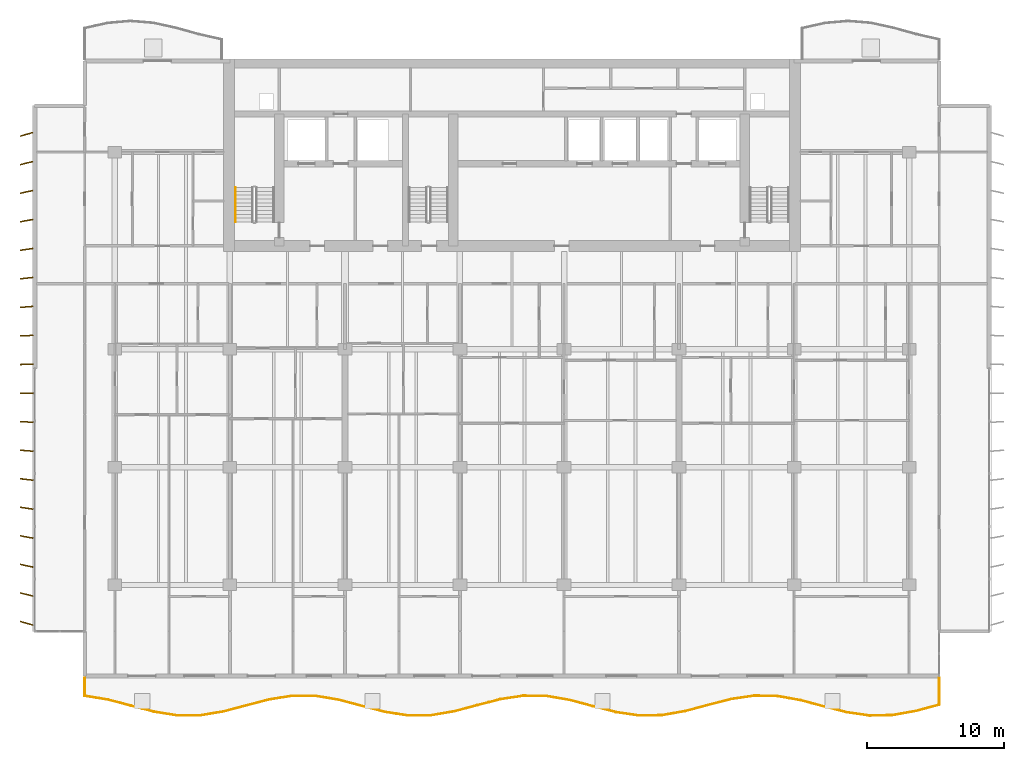
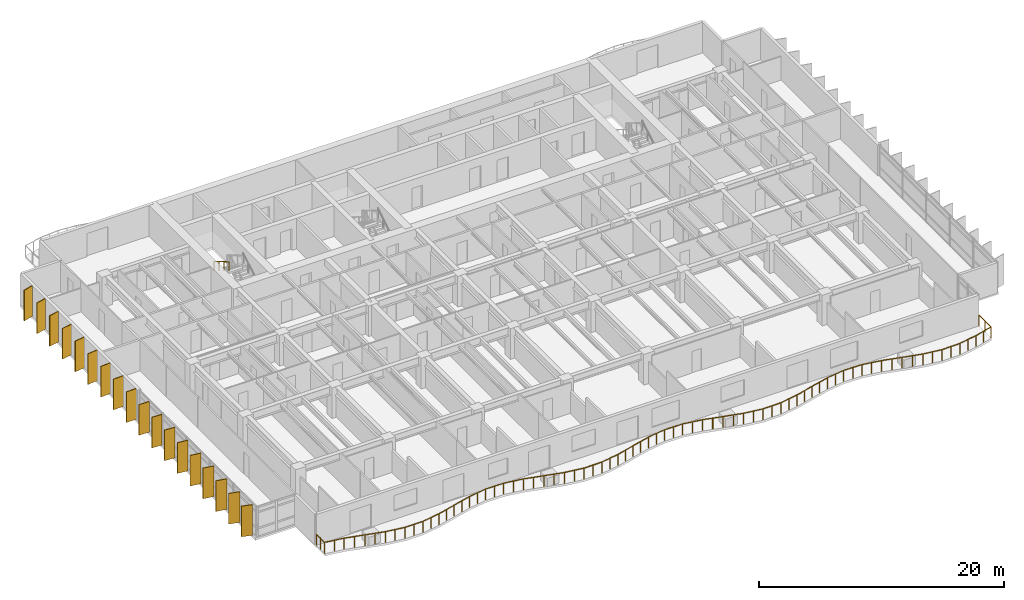
# One storey, part 13 of 16: 18 shading devices, 2 railings.
"""IFC4 building model written with IfcOpenShell, lengths in metres."""

from ifc_helpers import new_model, si_unit, direction, frame, origin, origin_2d, place, context, subcontext, project, spatial, rectangle, circle, extrude, material, material_profile, profile_set, type_object, element, save


model = new_model("IFC4")

# Units and contexts
model_context = context("Model", 3, precision=1e-05, world=origin(), true_north=direction((0.0, 1.0)))
body_context = subcontext(model_context, "Body", "Model", "MODEL_VIEW")
ifc_project = project(units=[si_unit("LENGTHUNIT", "METRE"), si_unit("AREAUNIT", "SQUARE_METRE"), si_unit("VOLUMEUNIT", "CUBIC_METRE"), si_unit("PLANEANGLEUNIT", "RADIAN"), si_unit("MASSUNIT", "GRAM", prefix="KILO")], contexts=[model_context])

# Site, building, storey
site_placement = place(None, origin())
site = spatial("IfcSite", under=ifc_project, at=site_placement, CompositionType="ELEMENT")
building_placement = place(site_placement, origin())
building = spatial("IfcBuilding", under=site, at=building_placement, Name="Caelmar Bay Residences", CompositionType="ELEMENT")
storey_placement = place(building_placement, frame((0.0, 0.0, 142.199951171875)))
storey = spatial("IfcBuildingStorey", under=building, at=storey_placement, Name="L39", CompositionType="ELEMENT", Elevation=142.199951171875)

# Railings
ifc_material_1 = material(Name="Anodised bronze handrail with laminated hurricane glass infill", Category="glass")
railing_type_1 = type_object("IfcRailingType", Name="RL-BAL-1100", PredefinedType="BALUSTRADE", material=ifc_material_1)
railing_1_placement = place(storey_placement, frame((7.699951171875, 5.39990234375, 0.0)))
element("IfcRailing", 1, at=railing_1_placement, inside=storey, type_object=railing_type_1, Name="L39 south Balcony Balustrade", PredefinedType="BALUSTRADE", context=body_context, shape_type="SweptSolid", body=[
    extrude(circle(Radius=0.02392578125, at=origin_2d()), frame((0.0, 0.0, 1.076171875), z_axis=(0.0, -1.0, 0.0), x_axis=(1.0, 0.0, 0.0)), (0.0, 0.0, 1.0), 1.306640625),
    extrude(circle(Radius=0.02392578125, at=origin_2d()), frame((0.0, -1.306640625, 1.076171875), z_axis=(0.987065173656, -0.160319502728, 0.0), x_axis=(0.160319502728, 0.987065173656, 0.0)), (0.0, 0.0, 1.0), 1.708740234375),
    extrude(circle(Radius=0.02392578125, at=origin_2d()), frame((1.6865234375, -1.58056640625, 1.076171875), z_axis=(0.967208611975, -0.253983268981, 0.0), x_axis=(0.253983268981, 0.967208611975, 0.0)), (0.0, 0.0, 1.0), 1.74365234375),
    extrude(circle(Radius=0.02392578125, at=origin_2d()), frame((3.373046875, -2.0234375, 1.076171875), z_axis=(0.967380394838, -0.253328189673, 0.0), x_axis=(0.253328189673, 0.967380394838, 0.0)), (0.0, 0.0, 1.0), 1.743408203125),
    extrude(circle(Radius=0.02392578125, at=origin_2d()), frame((5.0595703125, -2.465087890625, 1.076171875), z_axis=(0.987398669265, -0.158252544792, 0.0), x_axis=(0.158252544792, 0.987398669265, 0.0)), (0.0, 0.0, 1.0), 1.707763671875),
    extrude(circle(Radius=0.02392578125, at=origin_2d()), frame((6.745849609375, -2.7353515625, 1.076171875), z_axis=(0.999995379373, 0.00303993963, 0.0), x_axis=(-0.00303993963, 0.999995379373, 0.0)), (0.0, 0.0, 1.0), 1.6865234375),
    extrude(circle(Radius=0.02392578125, at=origin_2d()), frame((8.432373046875, -2.730224609375, 1.076171875), z_axis=(0.986655160989, 0.162823810586, 0.0), x_axis=(-0.162823810586, 0.986655160989, 0.0)), (0.0, 0.0, 1.0), 1.709228515625),
    extrude(circle(Radius=0.02392578125, at=origin_2d()), frame((10.118896484375, -2.451904296875, 1.076171875), z_axis=(0.966967473877, 0.254899792984, 0.0), x_axis=(-0.254899792984, 0.966967473877, 0.0)), (0.0, 0.0, 1.0), 1.744140625),
    extrude(circle(Radius=0.02392578125, at=origin_2d()), frame((11.805419921875, -2.00732421875, 1.076171875), z_axis=(0.967620247319, 0.252410493004, 0.0), x_axis=(-0.252410493004, 0.967620247319, 0.0)), (0.0, 0.0, 1.0), 1.742919921875),
    extrude(circle(Radius=0.02392578125, at=origin_2d()), frame((13.491943359375, -1.5673828125, 1.076171875), z_axis=(0.987823182146, 0.155580721218, 0.0), x_axis=(-0.155580721218, 0.987823182146, 0.0)), (0.0, 0.0, 1.0), 1.707275390625),
    extrude(circle(Radius=0.02392578125, at=origin_2d()), frame((15.178466796875, -1.3017578125, 1.076171875), z_axis=(0.999979715819, -0.006369297553, 0.0), x_axis=(0.006369297553, 0.999979715819, 0.0)), (0.0, 0.0, 1.0), 1.6865234375),
    extrude(circle(Radius=0.02392578125, at=origin_2d()), frame((16.864990234375, -1.3125, 1.076171875), z_axis=(0.986215858192, -0.165463836081, 0.0), x_axis=(0.165463836081, 0.986215858192, 0.0)), (0.0, 0.0, 1.0), 1.710205078125),
    extrude(circle(Radius=0.02392578125, at=origin_2d()), frame((18.551513671875, -1.595458984375, 1.076171875), z_axis=(0.966716428408, -0.255850243395, 0.0), x_axis=(0.255850243395, 0.966716428408, 0.0)), (0.0, 0.0, 1.0), 1.744384765625),
    extrude(circle(Radius=0.02392578125, at=origin_2d()), frame((20.23779296875, -2.041748046875, 1.076171875), z_axis=(0.967927523166, -0.251229595981, 0.0), x_axis=(0.251229595981, 0.967927523166, 0.0)), (0.0, 0.0, 1.0), 1.742431640625),
    extrude(circle(Radius=0.02392578125, at=origin_2d()), frame((21.92431640625, -2.4794921875, 1.076171875), z_axis=(0.988215723796, -0.153067577369, 0.0), x_axis=(0.153067577369, 0.988215723796, 0.0)), (0.0, 0.0, 1.0), 1.70654296875),
    extrude(circle(Radius=0.02392578125, at=origin_2d()), frame((23.61083984375, -2.74072265625, 1.076171875), z_axis=(0.999952968989, 0.009698443677, 0.0), x_axis=(-0.009698443677, 0.999952968989, 0.0)), (0.0, 0.0, 1.0), 1.6865234375),
    extrude(circle(Radius=0.02392578125, at=origin_2d()), frame((25.29736328125, -2.724365234375, 1.076171875), z_axis=(0.985793532406, 0.167961636891, 0.0), x_axis=(-0.167961636891, 0.985793532406, 0.0)), (0.0, 0.0, 1.0), 1.7109375),
    extrude(circle(Radius=0.02392578125, at=origin_2d()), frame((26.98388671875, -2.43701171875, 1.076171875), z_axis=(0.966482957284, 0.256730779765, 0.0), x_axis=(-0.256730779765, 0.966482957284, 0.0)), (0.0, 0.0, 1.0), 1.7451171875),
    extrude(circle(Radius=0.02392578125, at=origin_2d()), frame((28.67041015625, -1.989013671875, 1.076171875), z_axis=(0.968165653022, 0.250310343992, 0.0), x_axis=(-0.250310343992, 0.968165653022, 0.0)), (0.0, 0.0, 1.0), 1.741943359375),
    extrude(circle(Radius=0.02392578125, at=origin_2d()), frame((30.35693359375, -1.552978515625, 1.076171875), z_axis=(0.988641503108, 0.150292974991, 0.0), x_axis=(-0.150292974991, 0.988641503108, 0.0)), (0.0, 0.0, 1.0), 1.70556640625),
    extrude(circle(Radius=0.02392578125, at=origin_2d()), frame((32.043212890625, -1.296630859375, 1.076171875), z_axis=(0.999915141552, -0.013027267333, 0.0), x_axis=(0.013027267333, 0.999915141552, 0.0)), (0.0, 0.0, 1.0), 1.686767578125),
    extrude(circle(Radius=0.02392578125, at=origin_2d()), frame((33.729736328125, -1.318603515625, 1.076171875), z_axis=(0.985341285462, -0.170594698525, 0.0), x_axis=(0.170594698525, 0.985341285462, 0.0)), (0.0, 0.0, 1.0), 1.711669921875),
    extrude(circle(Radius=0.02392578125, at=origin_2d()), frame((35.416259765625, -1.610595703125, 1.076171875), z_axis=(0.966309193943, -0.257384035445, 0.0), x_axis=(0.257384035445, 0.966309193943, 0.0)), (0.0, 0.0, 1.0), 1.745361328125),
    extrude(circle(Radius=0.02392578125, at=origin_2d()), frame((37.102783203125, -2.059814453125, 1.076171875), z_axis=(0.968436874768, -0.249258940842, 0.0), x_axis=(0.249258940842, 0.968436874768, 0.0)), (0.0, 0.0, 1.0), 1.741455078125),
    extrude(circle(Radius=0.02392578125, at=origin_2d()), frame((38.789306640625, -2.493896484375, 1.076171875), z_axis=(0.989045303054, -0.147612291177, 0.0), x_axis=(0.147612291177, 0.989045303054, 0.0)), (0.0, 0.0, 1.0), 1.705322265625),
    extrude(circle(Radius=0.02392578125, at=origin_2d()), frame((40.475830078125, -2.74560546875, 1.076171875), z_axis=(0.999863859809, 0.016500359007, 0.0), x_axis=(-0.016500359007, 0.999863859809, 0.0)), (0.0, 0.0, 1.0), 1.686767578125),
    extrude(circle(Radius=0.02392578125, at=origin_2d()), frame((42.162353515625, -2.7177734375, 1.076171875), z_axis=(0.984926778212, 0.172971794118, 0.0), x_axis=(-0.172971794118, 0.984926778212, 0.0)), (0.0, 0.0, 1.0), 1.712158203125),
    extrude(circle(Radius=0.02392578125, at=origin_2d()), frame((43.8486328125, -2.421630859375, 1.076171875), z_axis=(0.96606528911, 0.258298000722, 0.0), x_axis=(-0.258298000722, 0.96606528911, 0.0)), (0.0, 0.0, 1.0), 1.745849609375),
    extrude(circle(Radius=0.02392578125, at=origin_2d()), frame((45.53515625, -1.970703125, 1.076171875), z_axis=(0.968740814455, 0.248075058015, 0.0), x_axis=(-0.248075058015, 0.968740814455, 0.0)), (0.0, 0.0, 1.0), 1.740966796875),
    extrude(circle(Radius=0.02392578125, at=origin_2d()), frame((47.2216796875, -1.538818359375, 1.076171875), z_axis=(0.989459562503, 0.144809440893, 0.0), x_axis=(-0.144809440893, 0.989459562503, 0.0)), (0.0, 0.0, 1.0), 1.70458984375),
    extrude(circle(Radius=0.02392578125, at=origin_2d()), frame((48.908203125, -1.2919921875, 1.076171875), z_axis=(0.999806261051, -0.01968350485, 0.0), x_axis=(0.01968350485, 0.999806261051, 0.0)), (0.0, 0.0, 1.0), 1.686767578125),
    extrude(circle(Radius=0.02392578125, at=origin_2d()), frame((50.5947265625, -1.3251953125, 1.076171875), z_axis=(0.984466306135, -0.175573608737, 0.0), x_axis=(0.175573608737, 0.984466306135, 0.0)), (0.0, 0.0, 1.0), 1.713134765625),
    extrude(circle(Radius=0.02392578125, at=origin_2d()), frame((52.28125, -1.6259765625, 1.076171875), z_axis=(0.965881240194, -0.258985385383, 0.0), x_axis=(0.258985385383, 0.965881240194, 0.0)), (0.0, 0.0, 1.0), 1.745849609375),
    extrude(circle(Radius=0.02392578125, at=origin_2d()), frame((53.967529296875, -2.078125, 1.076171875), z_axis=(0.969043495909, -0.246890062652, 0.0), x_axis=(0.246890062652, 0.969043495909, 0.0)), (0.0, 0.0, 1.0), 1.740478515625),
    extrude(circle(Radius=0.02392578125, at=origin_2d()), frame((55.654052734375, -2.5078125, 1.076171875), z_axis=(0.989846061572, -0.142143499288, 0.0), x_axis=(0.142143499288, 0.989846061572, 0.0)), (0.0, 0.0, 1.0), 1.703857421875),
    extrude(circle(Radius=0.02392578125, at=origin_2d()), frame((57.340576171875, -2.75, 1.076171875), z_axis=(0.99973187913, 0.023155341729, 0.0), x_axis=(-0.023155341729, 0.99973187913, 0.0)), (0.0, 0.0, 1.0), 1.68701171875),
    extrude(circle(Radius=0.02392578125, at=origin_2d()), frame((59.027099609375, -2.7109375, 1.076171875), z_axis=(0.984044935077, 0.177920110583, 0.0), x_axis=(-0.177920110583, 0.984044935077, 0.0)), (0.0, 0.0, 1.0), 1.7138671875),
    extrude(circle(Radius=0.02392578125, at=origin_2d()), frame((60.713623046875, -2.406005859375, 1.076171875), z_axis=(0.965715569581, 0.259602462755, 0.0), x_axis=(-0.259602462755, 0.965715569581, 0.0)), (0.0, 0.0, 1.0), 1.746337890625),
    extrude(circle(Radius=0.02392578125, at=origin_2d()), frame((62.400146484375, -1.95263671875, 1.076171875), z_axis=(0.0, 1.0, 0.0), x_axis=(-1.0, 0.0, 0.0)), (0.0, 0.0, 1.0), 1.95263671875),
    extrude(circle(Radius=0.02099609375, at=origin_2d()), origin(), (0.0, 0.0, 1.0), 1.052001953125),
    extrude(circle(Radius=0.02099609375, at=origin_2d()), frame((0.0, -0.6533203125, 0.0)), (0.0, 0.0, 1.0), 1.052001953125),
    extrude(circle(Radius=0.02099609375, at=origin_2d()), frame((0.0, -1.306640625, 0.0)), (0.0, 0.0, 1.0), 1.052001953125),
    extrude(circle(Radius=0.02099609375, at=origin_2d()), frame((0.84326171875, -1.443603515625, 0.0)), (0.0, 0.0, 1.0), 1.052001953125),
    extrude(circle(Radius=0.02099609375, at=origin_2d()), frame((1.6865234375, -1.58056640625, 0.0)), (0.0, 0.0, 1.0), 1.052001953125),
    extrude(circle(Radius=0.02099609375, at=origin_2d()), frame((2.52978515625, -1.802001953125, 0.0)), (0.0, 0.0, 1.0), 1.052001953125),
    extrude(circle(Radius=0.02099609375, at=origin_2d()), frame((3.373046875, -2.0234375, 0.0)), (0.0, 0.0, 1.0), 1.052001953125),
    extrude(circle(Radius=0.02099609375, at=origin_2d()), frame((4.21630859375, -2.244140625, 0.0)), (0.0, 0.0, 1.0), 1.052001953125),
    extrude(circle(Radius=0.02099609375, at=origin_2d()), frame((5.0595703125, -2.465087890625, 0.0)), (0.0, 0.0, 1.0), 1.052001953125),
    extrude(circle(Radius=0.02099609375, at=origin_2d()), frame((5.90283203125, -2.60009765625, 0.0)), (0.0, 0.0, 1.0), 1.052001953125),
    extrude(circle(Radius=0.02099609375, at=origin_2d()), frame((6.745849609375, -2.7353515625, 0.0)), (0.0, 0.0, 1.0), 1.052001953125),
    extrude(circle(Radius=0.02099609375, at=origin_2d()), frame((7.589111328125, -2.73291015625, 0.0)), (0.0, 0.0, 1.0), 1.052001953125),
    extrude(circle(Radius=0.02099609375, at=origin_2d()), frame((8.432373046875, -2.730224609375, 0.0)), (0.0, 0.0, 1.0), 1.052001953125),
    extrude(circle(Radius=0.02099609375, at=origin_2d()), frame((9.275634765625, -2.591064453125, 0.0)), (0.0, 0.0, 1.0), 1.052001953125),
    extrude(circle(Radius=0.02099609375, at=origin_2d()), frame((10.118896484375, -2.451904296875, 0.0)), (0.0, 0.0, 1.0), 1.052001953125),
    extrude(circle(Radius=0.02099609375, at=origin_2d()), frame((10.962158203125, -2.2294921875, 0.0)), (0.0, 0.0, 1.0), 1.052001953125),
    extrude(circle(Radius=0.02099609375, at=origin_2d()), frame((11.805419921875, -2.00732421875, 0.0)), (0.0, 0.0, 1.0), 1.052001953125),
    extrude(circle(Radius=0.02099609375, at=origin_2d()), frame((12.648681640625, -1.787353515625, 0.0)), (0.0, 0.0, 1.0), 1.052001953125),
    extrude(circle(Radius=0.02099609375, at=origin_2d()), frame((13.491943359375, -1.5673828125, 0.0)), (0.0, 0.0, 1.0), 1.052001953125),
    extrude(circle(Radius=0.02099609375, at=origin_2d()), frame((14.335205078125, -1.4345703125, 0.0)), (0.0, 0.0, 1.0), 1.052001953125),
    extrude(circle(Radius=0.02099609375, at=origin_2d()), frame((15.178466796875, -1.3017578125, 0.0)), (0.0, 0.0, 1.0), 1.052001953125),
    extrude(circle(Radius=0.02099609375, at=origin_2d()), frame((16.021728515625, -1.30712890625, 0.0)), (0.0, 0.0, 1.0), 1.052001953125),
    extrude(circle(Radius=0.02099609375, at=origin_2d()), frame((16.864990234375, -1.3125, 0.0)), (0.0, 0.0, 1.0), 1.052001953125),
    extrude(circle(Radius=0.02099609375, at=origin_2d()), frame((17.708251953125, -1.4541015625, 0.0)), (0.0, 0.0, 1.0), 1.052001953125),
    extrude(circle(Radius=0.02099609375, at=origin_2d()), frame((18.551513671875, -1.595458984375, 0.0)), (0.0, 0.0, 1.0), 1.052001953125),
    extrude(circle(Radius=0.02099609375, at=origin_2d()), frame((19.39453125, -1.818603515625, 0.0)), (0.0, 0.0, 1.0), 1.052001953125),
    extrude(circle(Radius=0.02099609375, at=origin_2d()), frame((20.23779296875, -2.041748046875, 0.0)), (0.0, 0.0, 1.0), 1.052001953125),
    extrude(circle(Radius=0.02099609375, at=origin_2d()), frame((21.0810546875, -2.2607421875, 0.0)), (0.0, 0.0, 1.0), 1.052001953125),
    extrude(circle(Radius=0.02099609375, at=origin_2d()), frame((21.92431640625, -2.4794921875, 0.0)), (0.0, 0.0, 1.0), 1.052001953125),
    extrude(circle(Radius=0.02099609375, at=origin_2d()), frame((22.767578125, -2.610107421875, 0.0)), (0.0, 0.0, 1.0), 1.052001953125),
    extrude(circle(Radius=0.02099609375, at=origin_2d()), frame((23.61083984375, -2.74072265625, 0.0)), (0.0, 0.0, 1.0), 1.052001953125),
    extrude(circle(Radius=0.02099609375, at=origin_2d()), frame((24.4541015625, -2.732421875, 0.0)), (0.0, 0.0, 1.0), 1.052001953125),
    extrude(circle(Radius=0.02099609375, at=origin_2d()), frame((25.29736328125, -2.724365234375, 0.0)), (0.0, 0.0, 1.0), 1.052001953125),
    extrude(circle(Radius=0.02099609375, at=origin_2d()), frame((26.140625, -2.58056640625, 0.0)), (0.0, 0.0, 1.0), 1.052001953125),
    extrude(circle(Radius=0.02099609375, at=origin_2d()), frame((26.98388671875, -2.43701171875, 0.0)), (0.0, 0.0, 1.0), 1.052001953125),
    extrude(circle(Radius=0.02099609375, at=origin_2d()), frame((27.8271484375, -2.212890625, 0.0)), (0.0, 0.0, 1.0), 1.052001953125),
    extrude(circle(Radius=0.02099609375, at=origin_2d()), frame((28.67041015625, -1.989013671875, 0.0)), (0.0, 0.0, 1.0), 1.052001953125),
    extrude(circle(Radius=0.02099609375, at=origin_2d()), frame((29.513671875, -1.77099609375, 0.0)), (0.0, 0.0, 1.0), 1.052001953125),
    extrude(circle(Radius=0.02099609375, at=origin_2d()), frame((30.35693359375, -1.552978515625, 0.0)), (0.0, 0.0, 1.0), 1.052001953125),
    extrude(circle(Radius=0.02099609375, at=origin_2d()), frame((31.2001953125, -1.4248046875, 0.0)), (0.0, 0.0, 1.0), 1.052001953125),
    extrude(circle(Radius=0.02099609375, at=origin_2d()), frame((32.043212890625, -1.296630859375, 0.0)), (0.0, 0.0, 1.0), 1.052001953125),
    extrude(circle(Radius=0.02099609375, at=origin_2d()), frame((32.886474609375, -1.3076171875, 0.0)), (0.0, 0.0, 1.0), 1.052001953125),
    extrude(circle(Radius=0.02099609375, at=origin_2d()), frame((33.729736328125, -1.318603515625, 0.0)), (0.0, 0.0, 1.0), 1.052001953125),
    extrude(circle(Radius=0.02099609375, at=origin_2d()), frame((34.572998046875, -1.464599609375, 0.0)), (0.0, 0.0, 1.0), 1.052001953125),
    extrude(circle(Radius=0.02099609375, at=origin_2d()), frame((35.416259765625, -1.610595703125, 0.0)), (0.0, 0.0, 1.0), 1.052001953125),
    extrude(circle(Radius=0.02099609375, at=origin_2d()), frame((36.259521484375, -1.835205078125, 0.0)), (0.0, 0.0, 1.0), 1.052001953125),
    extrude(circle(Radius=0.02099609375, at=origin_2d()), frame((37.102783203125, -2.059814453125, 0.0)), (0.0, 0.0, 1.0), 1.052001953125),
    extrude(circle(Radius=0.02099609375, at=origin_2d()), frame((37.946044921875, -2.27685546875, 0.0)), (0.0, 0.0, 1.0), 1.052001953125),
    extrude(circle(Radius=0.02099609375, at=origin_2d()), frame((38.789306640625, -2.493896484375, 0.0)), (0.0, 0.0, 1.0), 1.052001953125),
    extrude(circle(Radius=0.02099609375, at=origin_2d()), frame((39.632568359375, -2.61962890625, 0.0)), (0.0, 0.0, 1.0), 1.052001953125),
    extrude(circle(Radius=0.02099609375, at=origin_2d()), frame((40.475830078125, -2.74560546875, 0.0)), (0.0, 0.0, 1.0), 1.052001953125),
    extrude(circle(Radius=0.02099609375, at=origin_2d()), frame((41.319091796875, -2.731689453125, 0.0)), (0.0, 0.0, 1.0), 1.052001953125),
    extrude(circle(Radius=0.02099609375, at=origin_2d()), frame((42.162353515625, -2.7177734375, 0.0)), (0.0, 0.0, 1.0), 1.052001953125),
    extrude(circle(Radius=0.02099609375, at=origin_2d()), frame((43.00537109375, -2.56982421875, 0.0)), (0.0, 0.0, 1.0), 1.052001953125),
    extrude(circle(Radius=0.02099609375, at=origin_2d()), frame((43.8486328125, -2.421630859375, 0.0)), (0.0, 0.0, 1.0), 1.052001953125),
    extrude(circle(Radius=0.02099609375, at=origin_2d()), frame((44.69189453125, -2.1962890625, 0.0)), (0.0, 0.0, 1.0), 1.052001953125),
    extrude(circle(Radius=0.02099609375, at=origin_2d()), frame((45.53515625, -1.970703125, 0.0)), (0.0, 0.0, 1.0), 1.052001953125),
    extrude(circle(Radius=0.02099609375, at=origin_2d()), frame((46.37841796875, -1.7548828125, 0.0)), (0.0, 0.0, 1.0), 1.052001953125),
    extrude(circle(Radius=0.02099609375, at=origin_2d()), frame((47.2216796875, -1.538818359375, 0.0)), (0.0, 0.0, 1.0), 1.052001953125),
    extrude(circle(Radius=0.02099609375, at=origin_2d()), frame((48.06494140625, -1.41552734375, 0.0)), (0.0, 0.0, 1.0), 1.052001953125),
    extrude(circle(Radius=0.02099609375, at=origin_2d()), frame((48.908203125, -1.2919921875, 0.0)), (0.0, 0.0, 1.0), 1.052001953125),
    extrude(circle(Radius=0.02099609375, at=origin_2d()), frame((49.75146484375, -1.30859375, 0.0)), (0.0, 0.0, 1.0), 1.052001953125),
    extrude(circle(Radius=0.02099609375, at=origin_2d()), frame((50.5947265625, -1.3251953125, 0.0)), (0.0, 0.0, 1.0), 1.052001953125),
    extrude(circle(Radius=0.02099609375, at=origin_2d()), frame((51.43798828125, -1.4755859375, 0.0)), (0.0, 0.0, 1.0), 1.052001953125),
    extrude(circle(Radius=0.02099609375, at=origin_2d()), frame((52.28125, -1.6259765625, 0.0)), (0.0, 0.0, 1.0), 1.052001953125),
    extrude(circle(Radius=0.02099609375, at=origin_2d()), frame((53.12451171875, -1.85205078125, 0.0)), (0.0, 0.0, 1.0), 1.052001953125),
    extrude(circle(Radius=0.02099609375, at=origin_2d()), frame((53.967529296875, -2.078125, 0.0)), (0.0, 0.0, 1.0), 1.052001953125),
    extrude(circle(Radius=0.02099609375, at=origin_2d()), frame((54.810791015625, -2.29296875, 0.0)), (0.0, 0.0, 1.0), 1.052001953125),
    extrude(circle(Radius=0.02099609375, at=origin_2d()), frame((55.654052734375, -2.5078125, 0.0)), (0.0, 0.0, 1.0), 1.052001953125),
    extrude(circle(Radius=0.02099609375, at=origin_2d()), frame((56.497314453125, -2.62890625, 0.0)), (0.0, 0.0, 1.0), 1.052001953125),
    extrude(circle(Radius=0.02099609375, at=origin_2d()), frame((57.340576171875, -2.75, 0.0)), (0.0, 0.0, 1.0), 1.052001953125),
    extrude(circle(Radius=0.02099609375, at=origin_2d()), frame((58.183837890625, -2.73046875, 0.0)), (0.0, 0.0, 1.0), 1.052001953125),
    extrude(circle(Radius=0.02099609375, at=origin_2d()), frame((59.027099609375, -2.7109375, 0.0)), (0.0, 0.0, 1.0), 1.052001953125),
    extrude(circle(Radius=0.02099609375, at=origin_2d()), frame((59.870361328125, -2.55859375, 0.0)), (0.0, 0.0, 1.0), 1.052001953125),
    extrude(circle(Radius=0.02099609375, at=origin_2d()), frame((60.713623046875, -2.406005859375, 0.0)), (0.0, 0.0, 1.0), 1.052001953125),
    extrude(circle(Radius=0.02099609375, at=origin_2d()), frame((61.556884765625, -2.17919921875, 0.0)), (0.0, 0.0, 1.0), 1.052001953125),
    extrude(circle(Radius=0.02099609375, at=origin_2d()), frame((62.400146484375, -1.95263671875, 0.0)), (0.0, 0.0, 1.0), 1.052001953125),
    extrude(circle(Radius=0.02099609375, at=origin_2d()), frame((62.400146484375, -0.976318359375, 0.0)), (0.0, 0.0, 1.0), 1.052001953125),
    extrude(circle(Radius=0.02099609375, at=origin_2d()), frame((62.400146484375, 0.0, 0.0)), (0.0, 0.0, 1.0), 1.052001953125),
])
ifc_material_2 = material(Name="Brushed bronze stainless-steel tubular handrail 900 mm", Category="steel")
railing_type_2 = type_object("IfcRailingType", Name="RL-HND-900", PredefinedType="HANDRAIL", material=ifc_material_2)
railing_2_placement = place(storey_placement, frame((18.699951171875, 41.219970703125, 1.81494140625)))
element("IfcRailing", 2, at=railing_2_placement, inside=storey, type_object=railing_type_2, Name="L39 ST1 stair handrail 2", PredefinedType="HANDRAIL", context=body_context, shape_type="SweptSolid", body=[
    extrude(circle(Radius=0.02392578125, at=origin_2d()), frame((0.0, 0.0, 0.8759765625), z_axis=(0.0, -0.86152411907, 0.507716645641), x_axis=(1.0, 0.0, 0.0)), (0.0, 0.0, 1.0), 2.925048828125),
    extrude(circle(Radius=0.02099609375, at=origin_2d()), origin(), (0.0, 0.0, 1.0), 0.851806640625),
    extrude(circle(Radius=0.02099609375, at=origin_2d()), frame((0.0, -0.840087890625, 0.4951171875)), (0.0, 0.0, 1.0), 0.851806640625),
    extrude(circle(Radius=0.02099609375, at=origin_2d()), frame((0.0, -1.679931640625, 0.989990234375)), (0.0, 0.0, 1.0), 0.851806640625),
    extrude(circle(Radius=0.02099609375, at=origin_2d()), frame((0.0, -2.52001953125, 1.485107421875)), (0.0, 0.0, 1.0), 0.851806640625),
])

# Shading devices
ifc_material_3 = material(Name="Anodised architectural bronze aluminium 6063-T6", Category="aluminium")
ifc_material_profile = material_profile(ifc_material_3, rectangle(XDim=0.074951171875, YDim=0.949951171875, at=origin_2d()), Name="BRONZE-FIN-75X950")
ifc_profile_set = profile_set([ifc_material_profile], Name="Anodised architectural bronze aluminium 6063-T6")
shading_device_type = type_object("IfcShadingDeviceType", Name="SHD-FIN-950", PredefinedType="USERDEFINED", material=ifc_profile_set)
for number, where, z_axis, x_axis, name in (
    (3, (3.449951171875, 9.39990234375, 0.0), (0.0, 0.0, 1.0), (0.275637355817, 0.961261695938, 0.0), "L39 West Bronze Solar Fin 1"),
    (4, (3.449951171875, 11.5, 0.0), (0.0, 0.0, 1.0), (0.243953546137, 0.969786918517, 0.0), "L39 West Bronze Solar Fin 2"),
    (5, (3.449951171875, 13.60009765625, 0.0), (0.0, 0.0, 1.0), (0.212007109922, 0.977268123568, 0.0), "L39 West Bronze Solar Fin 3"),
    (6, (3.449951171875, 15.699951171875, 0.0), (0.0, 0.0, 1.0), (0.179660748593, 0.98372862895, 0.0), "L39 West Bronze Solar Fin 4"),
    (7, (3.449951171875, 17.800048828125, 0.0), (0.0, 0.0, 1.0), (0.147291543397, 0.989093120613, 0.0), "L39 West Bronze Solar Fin 5"),
    (8, (3.449951171875, 19.89990234375, 0.0), (0.0, 0.0, 1.0), (0.114763772489, 0.993392810787, 0.0), "L39 West Bronze Solar Fin 6"),
    (9, (3.449951171875, 22.0, 0.0), (0.0, 0.0, 1.0), (0.08211245342, 0.996623070671, 0.0), "L39 West Bronze Solar Fin 7"),
    (10, (3.449951171875, 24.10009765625, 0.0), (0.0, 0.0, 1.0), (0.049198415926, 0.998789024705, 0.0), "L39 West Bronze Solar Fin 8"),
    (11, (3.449951171875, 26.199951171875, 0.0), (0.0, 0.0, 1.0), (0.016405359001, 0.999865423043, 0.0), "L39 West Bronze Solar Fin 9"),
    (12, (3.449951171875, 28.300048828125, 0.0), (0.0, 0.0, 1.0), (-0.016405359001, 0.999865423043, 0.0), "L39 West Bronze Solar Fin 10"),
    (13, (3.449951171875, 30.39990234375, 0.0), (0.0, 0.0, 1.0), (-0.049198415926, 0.998789024705, 0.0), "L39 West Bronze Solar Fin 11"),
    (14, (3.449951171875, 32.5, 0.0), (0.0, 0.0, 1.0), (-0.08211245342, 0.996623070671, 0.0), "L39 West Bronze Solar Fin 12"),
    (15, (3.449951171875, 34.60009765625, 0.0), (0.0, 0.0, 1.0), (-0.114763772489, 0.993392810787, 0.0), "L39 West Bronze Solar Fin 13"),
    (16, (3.449951171875, 36.699951171875, 0.0), (0.0, 0.0, 1.0), (-0.147291543397, 0.989093120613, 0.0), "L39 West Bronze Solar Fin 14"),
    (17, (3.449951171875, 38.800048828125, 0.0), (0.0, 0.0, 1.0), (-0.179660748593, 0.98372862895, 0.0), "L39 West Bronze Solar Fin 15"),
    (18, (3.449951171875, 40.89990234375, 0.0), (0.0, 0.0, 1.0), (-0.212007109922, 0.977268123568, 0.0), "L39 West Bronze Solar Fin 16"),
    (19, (3.449951171875, 43.0, 0.0), (0.0, 0.0, 1.0), (-0.243953546137, 0.969786918517, 0.0), "L39 West Bronze Solar Fin 17"),
    (20, (3.449951171875, 45.10009765625, 0.0), (0.0, 0.0, 1.0), (-0.275637355817, 0.961261695938, 0.0), "L39 West Bronze Solar Fin 18"),
):
    element("IfcShadingDevice", number, at=place(storey_placement, frame(where, z_axis=z_axis, x_axis=x_axis)), inside=storey, type_object=shading_device_type, Name=name, ObjectType="FIN", PredefinedType="USERDEFINED", context=body_context, shape_type="SweptSolid", body=[
        extrude(rectangle(XDim=0.074951171875, YDim=0.949951171875, at=origin_2d()), origin(), (0.0, 0.0, 1.0), 3.050048828125),
    ])

save(model, "model.ifc")
